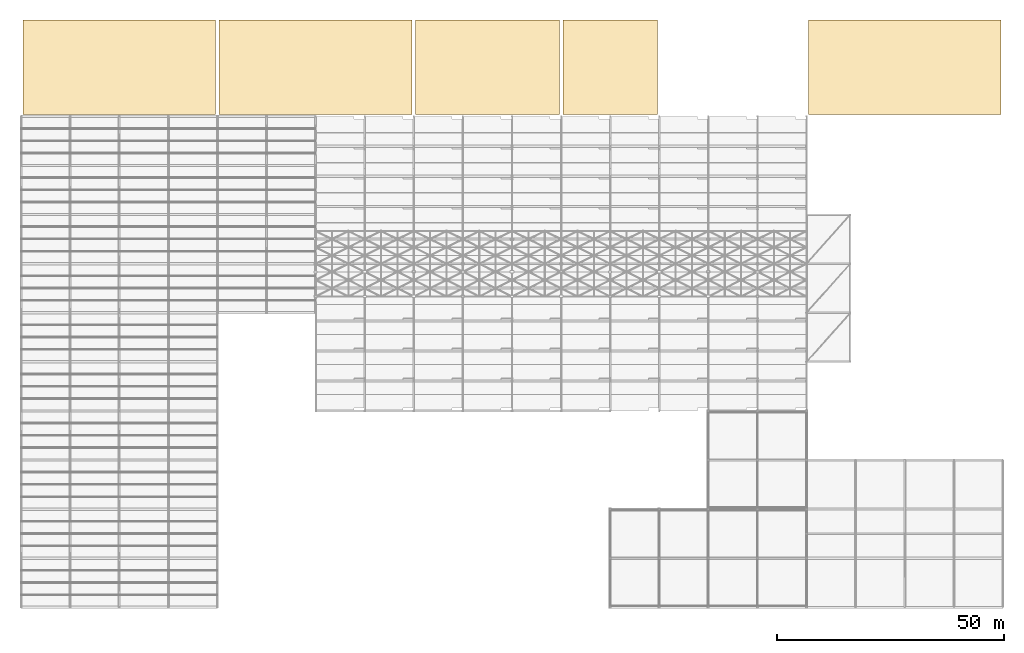
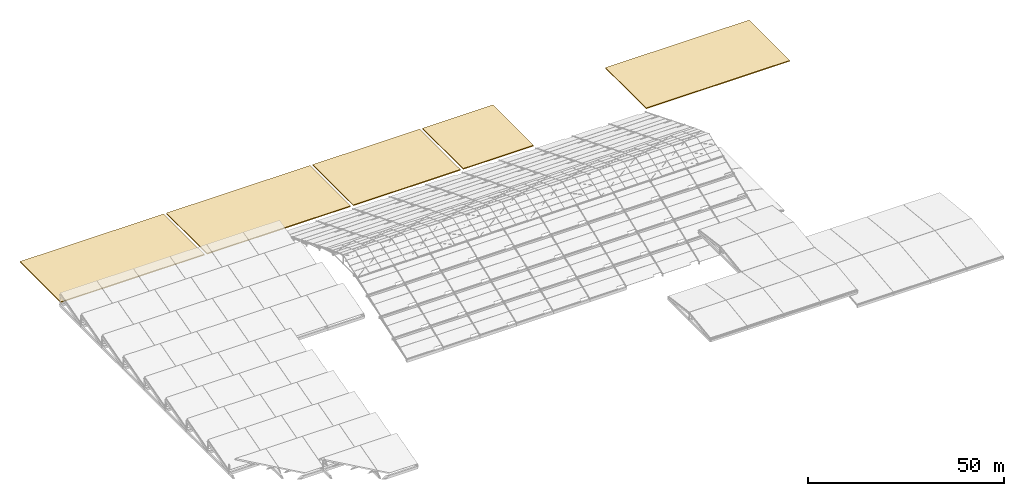
# One storey, part 112 of 112: 5 coverings.
"""IFC4 building model written with IfcOpenShell, lengths in metres."""

from ifc_helpers import new_model, si_unit, direction, frame, origin, place, context, subcontext, project, spatial, polyline, outline, extrude, material, layer, layer_set, type_object, element, save


model = new_model("IFC4")

# Units and contexts
model_context = context("Model", 3, precision=1e-05, world=origin(), true_north=direction((0.0, 1.0)))
body_context = subcontext(model_context, "Body", "Model", "MODEL_VIEW")
ifc_project = project(units=[si_unit("LENGTHUNIT", "METRE"), si_unit("AREAUNIT", "SQUARE_METRE"), si_unit("VOLUMEUNIT", "CUBIC_METRE"), si_unit("PLANEANGLEUNIT", "RADIAN"), si_unit("MASSUNIT", "GRAM", prefix="KILO")], contexts=[model_context])

# Site, building, storey
site_placement = place(None, origin())
site = spatial("IfcSite", under=ifc_project, at=site_placement, CompositionType="ELEMENT")
building_placement = place(site_placement, origin())
building = spatial("IfcBuilding", under=site, at=building_placement, Name="Zwinboog Wholesale Market", CompositionType="ELEMENT")
storey_placement = place(building_placement, frame((0.0, 0.0, 19.080078125)))
storey = spatial("IfcBuildingStorey", under=building, at=storey_placement, Name="Roof", CompositionType="ELEMENT", Elevation=19.080078125)

# Coverings
ifc_material = material(Name="Intensive stormwater-retention green-roof substrate")
ifc_layer = layer(ifc_material, 0.300048828125)
ifc_layer_set = layer_set([ifc_layer], Name="Intensive stormwater-retention green-roof substrate")
covering_type = type_object("IfcCoveringType", Name="COV-GRN-ROOF", PredefinedType="ROOFING", material=ifc_layer_set)
covering_1_placement = place(storey_placement, frame((0.0, 0.0, -9.0)))
element("IfcCovering", 1, at=covering_1_placement, inside=storey, type_object=covering_type, Name="CV-GRN (COV-GRN-01)", PredefinedType="ROOFING", context=body_context, shape_type="SweptSolid", body=[
    extrude(outline(polyline([(0.39990234375, 108.39990234375), (42.800048828125, 108.39990234375), (42.800048828125, 129.199951171875), (0.39990234375, 129.199951171875), (0.39990234375, 108.39990234375)])), origin(), (0.0, 0.0, 1.0), 0.2998046875),
])
covering_2_placement = place(storey_placement, frame((0.0, 0.0, -9.0)))
element("IfcCovering", 2, at=covering_2_placement, inside=storey, type_object=covering_type, Name="CV-GRN (COV-GRN-02)", PredefinedType="ROOFING", context=body_context, shape_type="SweptSolid", body=[
    extrude(outline(polyline([(43.60009765625, 108.39990234375), (86.0, 108.39990234375), (86.0, 129.199951171875), (43.60009765625, 129.199951171875), (43.60009765625, 108.39990234375)])), origin(), (0.0, 0.0, 1.0), 0.2998046875),
])
covering_3_placement = place(storey_placement, frame((0.0, 0.0, -9.0)))
element("IfcCovering", 3, at=covering_3_placement, inside=storey, type_object=covering_type, Name="CV-GRN (COV-GRN-03)", PredefinedType="ROOFING", context=body_context, shape_type="SweptSolid", body=[
    extrude(outline(polyline([(86.800048828125, 108.39990234375), (118.39990234375, 108.39990234375), (118.39990234375, 129.199951171875), (86.800048828125, 129.199951171875), (86.800048828125, 108.39990234375)])), origin(), (0.0, 0.0, 1.0), 0.2998046875),
])
covering_4_placement = place(storey_placement, frame((0.0, 0.0, -9.0)))
element("IfcCovering", 4, at=covering_4_placement, inside=storey, type_object=covering_type, Name="CV-GRN (COV-GRN-04)", PredefinedType="ROOFING", context=body_context, shape_type="SweptSolid", body=[
    extrude(outline(polyline([(119.199951171875, 108.39990234375), (140.0, 108.39990234375), (140.0, 129.199951171875), (119.199951171875, 129.199951171875), (119.199951171875, 108.39990234375)])), origin(), (0.0, 0.0, 1.0), 0.2998046875),
])
covering_5_placement = place(storey_placement, frame((0.0, 0.0, -9.0)))
element("IfcCovering", 5, at=covering_5_placement, inside=storey, type_object=covering_type, Name="CV-GRN (COV-GRN-05)", PredefinedType="ROOFING", context=body_context, shape_type="SweptSolid", body=[
    extrude(outline(polyline([(173.199951171875, 108.39990234375), (215.60009765625, 108.39990234375), (215.60009765625, 129.199951171875), (173.199951171875, 129.199951171875), (173.199951171875, 108.39990234375)])), origin(), (0.0, 0.0, 1.0), 0.2998046875),
])

save(model, "model.ifc")
